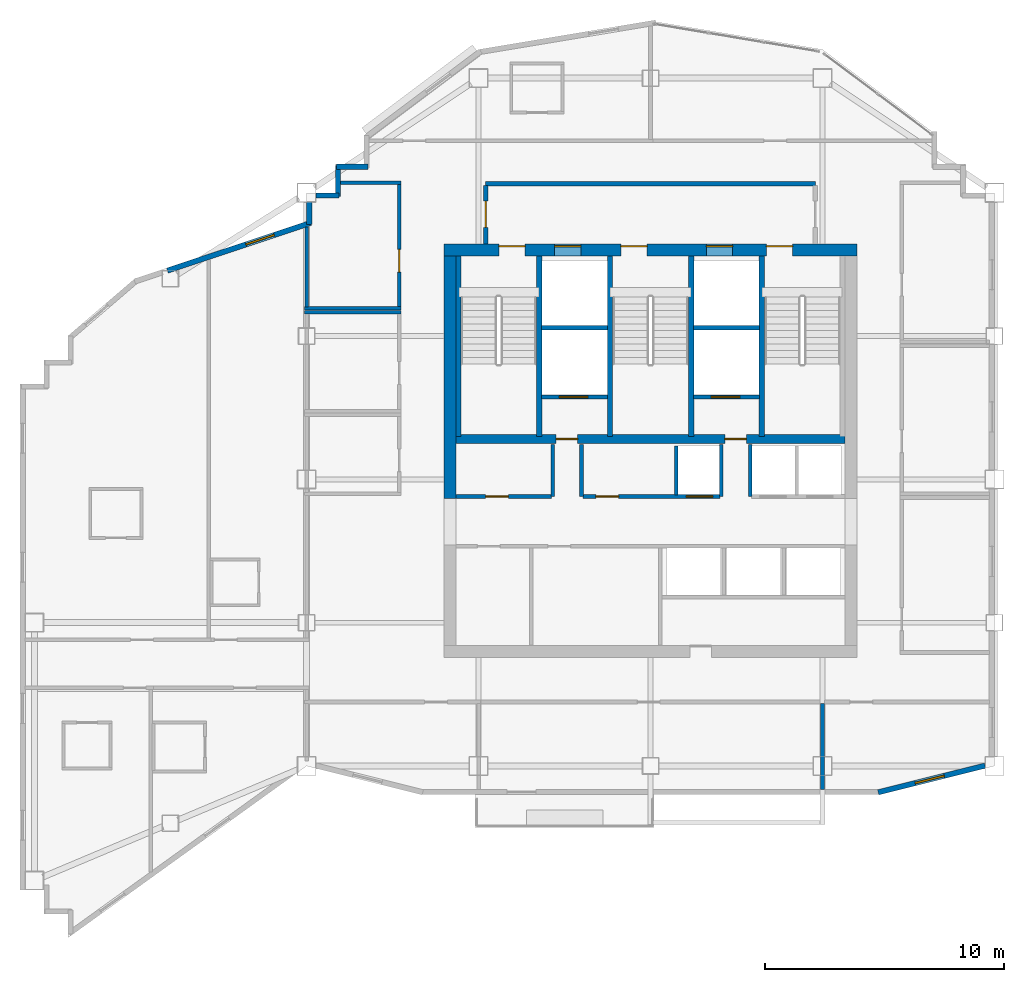
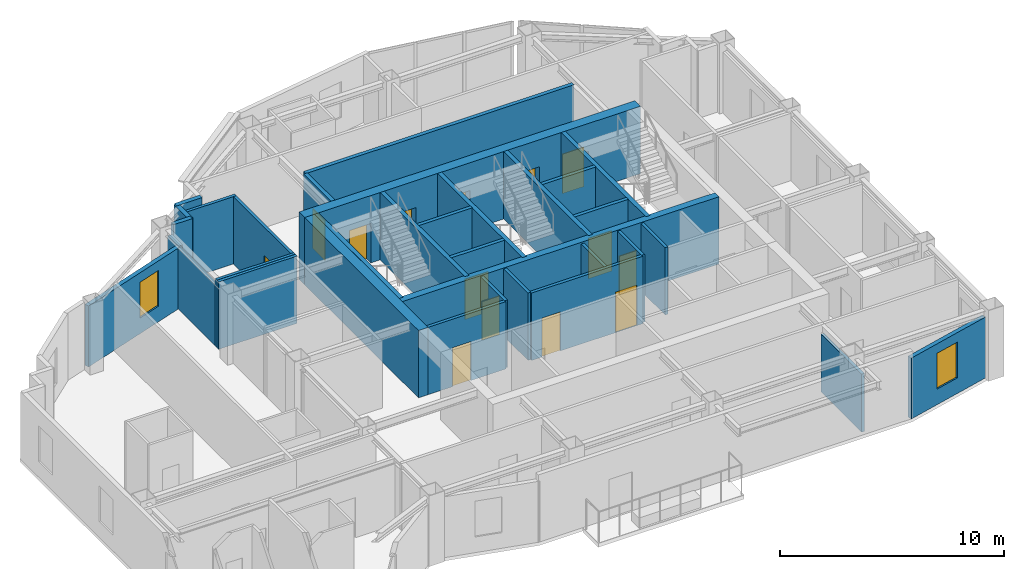
# One storey, part 6 of 9: 33 walls, 14 doors, 2 windows, 16 openings.
"""IFC4 building model written with IfcOpenShell, lengths in metres."""

import ifcopenshell
import ifcopenshell.guid

model = None  # the IFC model being written
_history = None  # IfcOwnerHistory: only IFC2X3 demands one
_inside = {}  # id of a spatial element -> (the spatial element, [elements in it])
_under = {}  # id of a project, library or spatial element -> (it, [spatial elements below it])
_declared = {}  # id of a project -> (the project, [libraries it declares])
_typed = {}  # id of a type object -> (the type object, [elements of that type])
_made_of = {}  # id of a material, layer set ... -> (it, [elements and type objects made of it])


def new_model(schema):
    """Start an empty IFC model of exactly this schema.

    Asked for "IFC4X3", IfcOpenShell would pick the latest addendum, in which some entities
    have other attributes; the version numbers below select the first issue.
    IFC2X3 requires an IfcOwnerHistory on every rooted entity: one is made here for all.
    """
    global model, _history
    if schema == "IFC4X3":
        model = ifcopenshell.file(schema_version=(4, 3, 0, 0))
    else:
        model = ifcopenshell.file(schema=schema)
    _inside.clear()
    _under.clear()
    _declared.clear()
    _typed.clear()
    _made_of.clear()
    _history = None
    if model.schema == "IFC2X3":
        org = make("IfcOrganization", Name="unknown")
        user = make(
            "IfcPersonAndOrganization",
            ThePerson=make("IfcPerson", FamilyName="unknown"),
            TheOrganization=org,
        )
        app = make(
            "IfcApplication",
            ApplicationDeveloper=org,
            Version="unknown",
            ApplicationFullName="unknown",
            ApplicationIdentifier="unknown",
        )
        _history = make(
            "IfcOwnerHistory",
            OwningUser=user,
            OwningApplication=app,
            ChangeAction="ADDED",
            CreationDate=0,
        )
    return model


def make(cls, **values):
    """One entity of the class cls with the attributes given. An attribute that is None is left unset."""
    return model.create_entity(
        cls, **{name: value for name, value in values.items() if value is not None}
    )


def rooted(cls, **values):
    """An entity with a GlobalId (a new one), such as an element, a storey or a relation."""
    return make(cls, GlobalId=ifcopenshell.guid.new(), OwnerHistory=_history, **values)


def si_unit(unit_type, name, prefix=None):
    """IfcSIUnit, for example si_unit("LENGTHUNIT", "METRE", prefix="MILLI")."""
    return make("IfcSIUnit", UnitType=unit_type, Prefix=prefix, Name=name)


def assignment(units):
    """IfcUnitAssignment: the units of a project."""
    return None if units is None else make("IfcUnitAssignment", Units=units)


def point(xyz):
    """IfcCartesianPoint."""
    return None if xyz is None else make("IfcCartesianPoint", Coordinates=xyz)


def direction(xyz):
    """IfcDirection."""
    return None if xyz is None else make("IfcDirection", DirectionRatios=xyz)


def frame(location, z_axis=None, x_axis=None):
    """IfcAxis2Placement3D, a coordinate frame: its origin and axes. An axis left out is left unset."""
    return make(
        "IfcAxis2Placement3D",
        Location=point(location),
        Axis=direction(z_axis),
        RefDirection=direction(x_axis),
    )


def frame_2d(location, x_axis=None):
    """IfcAxis2Placement2D, a coordinate frame in the plane: its origin and x axis."""
    return make(
        "IfcAxis2Placement2D", Location=point(location), RefDirection=direction(x_axis)
    )


def origin():
    """The frame at (0, 0, 0) with its axes left unset."""
    return frame((0.0, 0.0, 0.0))


def place(relative_to, where):
    """IfcLocalPlacement: puts the frame where relative to a parent placement (None: the world)."""
    return make(
        "IfcLocalPlacement", PlacementRelTo=relative_to, RelativePlacement=where
    )


def context(
    kind, dimensions, precision=None, world=None, true_north=None, identifier=None
):
    """IfcGeometricRepresentationContext, for example the 3D "Model" context."""
    return make(
        "IfcGeometricRepresentationContext",
        ContextIdentifier=identifier,
        ContextType=kind,
        CoordinateSpaceDimension=dimensions,
        Precision=precision,
        WorldCoordinateSystem=world,
        TrueNorth=true_north,
    )


def subcontext(parent, identifier, kind, view, scale=None):
    """IfcGeometricRepresentationSubContext, for example "Body" below "Model"."""
    return make(
        "IfcGeometricRepresentationSubContext",
        ContextIdentifier=identifier,
        ContextType=kind,
        ParentContext=parent,
        TargetScale=scale,
        TargetView=view,
    )


def project(units=None, contexts=None):
    """IfcProject with its units and contexts."""
    return rooted(
        "IfcProject",
        Name="project",
        RepresentationContexts=contexts,
        UnitsInContext=assignment(units),
    )


def spatial(cls, under=None, at=None, **own):
    """A site, building, storey or space (cls), placed at a placement, below another one or the project."""
    s = rooted(cls, ObjectPlacement=at, **own)
    if under is not None:
        _under.setdefault(under.id(), (under, []))[1].append(s)
    return s


def profile(cls, at=None, kind="AREA", **sizes):
    """A parametric profile (cls). Its sizes go by their IFC names, for example OverallWidth=200.0."""
    return make(cls, ProfileType=kind, Position=at, **sizes)


def rectangle(**sizes):
    """IfcRectangleProfileDef."""
    return profile("IfcRectangleProfileDef", **sizes)


def extrude(swept, where, along, depth):
    """IfcExtrudedAreaSolid: the profile swept, set in the frame where, extruded along a direction by depth."""
    return make(
        "IfcExtrudedAreaSolid",
        SweptArea=swept,
        Position=where,
        ExtrudedDirection=direction(along),
        Depth=depth,
    )


def shape(context_of_items, identifier, shape_type, items):
    """IfcShapeRepresentation: the items that make up one representation, for example the "Body"."""
    return make(
        "IfcShapeRepresentation",
        ContextOfItems=context_of_items,
        RepresentationIdentifier=identifier,
        RepresentationType=shape_type,
        Items=items,
    )


def material(Name=None, Category=None):
    """IfcMaterial."""
    return make("IfcMaterial", Name=Name, Category=Category)


def layer(
    of_material, thickness, ventilated=None, Name=None, Category=None, Priority=None
):
    """IfcMaterialLayer: one layer of a wall or slab, of a material (None: an air gap)."""
    return make(
        "IfcMaterialLayer",
        Material=of_material,
        LayerThickness=thickness,
        IsVentilated=ventilated,
        Name=Name,
        Category=Category,
        Priority=Priority,
    )


def layer_set(layers, Name=None):
    """IfcMaterialLayerSet."""
    return make("IfcMaterialLayerSet", MaterialLayers=layers, LayerSetName=Name)


def made_of(thing, what):
    """Note that an element or type object is made of a material, layer set ...; save() writes the relation."""
    if what is not None:
        _made_of.setdefault(what.id(), (what, []))[1].append(thing)
    return thing


def type_object(cls, material=None, **own):
    """A type object (cls), such as IfcWallType, which elements share."""
    return made_of(rooted(cls, **own), material)


def element(
    cls,
    number,
    at=None,
    inside=None,
    cuts=None,
    type_object=None,
    material=None,
    context=None,
    identifier="Body",
    shape_type=None,
    held_by="IfcProductDefinitionShape",
    body=None,
    shapes=None,
    **own,
):
    """One element of the class cls, such as IfcWall. Its Tag is "e" and its number.

    at: its placement. inside: the storey or other place that contains it. cuts: it is an
    opening in that element (IfcRelVoidsElement). A single representation is given by context,
    identifier, shape_type and body (its items); several are given by shapes. held_by: the class
    of the entity that holds the representations. save() writes the other relations.
    """
    e = rooted(cls, Tag="e%d" % number, ObjectPlacement=at, **own)
    if body is not None:
        shapes = [shape(context, identifier, shape_type, body)]
    if shapes is not None:
        e.Representation = make(held_by, Representations=shapes)
    if inside is not None:
        _inside.setdefault(inside.id(), (inside, []))[1].append(e)
    if cuts is not None:
        rooted(
            "IfcRelVoidsElement", RelatingBuildingElement=cuts, RelatedOpeningElement=e
        )
    if type_object is not None:
        _typed.setdefault(type_object.id(), (type_object, []))[1].append(e)
    return made_of(e, material)


def fill(opening, filler):
    """IfcRelFillsElement: the door or window that sits in an opening."""
    return rooted(
        "IfcRelFillsElement",
        RelatingOpeningElement=opening,
        RelatedBuildingElement=filler,
    )


def aggregate(whole, parts):
    """IfcRelAggregates: a whole, such as a stair, and the parts it consists of."""
    return rooted("IfcRelAggregates", RelatingObject=whole, RelatedObjects=parts)


def save(model, path):
    """Write the relations noted so far, then the file.

    IfcRelAggregates (storeys below a building ...), IfcRelContainedInSpatialStructure (elements
    in a storey), IfcRelDefinesByType, IfcRelAssociatesMaterial and IfcRelDeclares: one each for
    every whole, place, type object, material and project.
    """
    for whole, parts in _under.values():
        aggregate(whole, parts)
    for where, things in _inside.values():
        rooted(
            "IfcRelContainedInSpatialStructure",
            RelatedElements=things,
            RelatingStructure=where,
        )
    for kind, things in _typed.values():
        rooted("IfcRelDefinesByType", RelatedObjects=things, RelatingType=kind)
    for what, things in _made_of.values():
        rooted("IfcRelAssociatesMaterial", RelatedObjects=things, RelatingMaterial=what)
    for by, libraries in _declared.values():
        rooted("IfcRelDeclares", RelatingContext=by, RelatedDefinitions=libraries)
    model.write(path)


model = new_model("IFC4")

# Units and contexts
model_context = context("Model", 3, precision=1e-05, world=origin(), true_north=direction((0.0, 1.0)))
body_context = subcontext(model_context, "Body", "Model", "MODEL_VIEW")
ifc_project = project(units=[si_unit("LENGTHUNIT", "METRE"), si_unit("AREAUNIT", "SQUARE_METRE"), si_unit("VOLUMEUNIT", "CUBIC_METRE"), si_unit("PLANEANGLEUNIT", "RADIAN"), si_unit("MASSUNIT", "GRAM", prefix="KILO")], contexts=[model_context])

# Site, building, storey
site_placement = place(None, origin())
site = spatial("IfcSite", under=ifc_project, at=site_placement, CompositionType="ELEMENT")
building_placement = place(site_placement, origin())
building = spatial("IfcBuilding", under=site, at=building_placement, Name="Haolan Belvedere Tower", CompositionType="ELEMENT")
storey_placement = place(building_placement, frame((0.0, 0.0, 242.89990234375)))
storey = spatial("IfcBuildingStorey", under=building, at=storey_placement, Name="L61", CompositionType="ELEMENT", Elevation=242.89990234375)

# Wall, openings, doors
ifc_material_1 = material(Name="Concrete C50/60", Category="concrete")
ifc_layer_1 = layer(ifc_material_1, 0.5, Name="Concrete C50/60")
ifc_layer_set_1 = layer_set([ifc_layer_1], Name="Concrete C50/60")
wall_type_1 = type_object("IfcWallType", Name="WL-CORE-500", PredefinedType="SHEAR", material=ifc_layer_set_1)
wall_1_placement = place(storey_placement, frame((29.75, 43.199951171875, 0.0), z_axis=(0.0, 0.0, 1.0), x_axis=(1.0, 0.0, 0.0)))
wall_1 = element("IfcWall", 1, at=wall_1_placement, inside=storey, type_object=wall_type_1, Name="L61 central core north shear wall", PredefinedType="SHEAR", context=body_context, shape_type="SweptSolid", body=[
    extrude(rectangle(XDim=17.300048828125, YDim=0.5, at=frame_2d((8.64990234375, 0.0))), origin(), (0.0, 0.0, 1.0), 3.670166015625),
])
opening_1_placement = place(wall_1_placement, frame((2.300048828125, 0.0, 0.0)))
opening_1 = element("IfcOpeningElement", 2, at=opening_1_placement, cuts=wall_1, Name="Opening FD-03", PredefinedType="OPENING", context=body_context, shape_type="SweptSolid", body=[
    extrude(rectangle(XDim=1.10009765625, YDim=2.14990234375, at=frame_2d((0.550048828125, 1.074951171875))), frame((0.0, 0.260009765625, 0.0), z_axis=(0.0, -1.0, 0.0), x_axis=(1.0, 0.0, 0.0)), (0.0, 0.0, 1.0), 0.52001953125),
])
opening_2_placement = place(wall_1_placement, frame((7.409912109375, 0.0, 0.0)))
opening_2 = element("IfcOpeningElement", 3, at=opening_2_placement, cuts=wall_1, Name="Opening FD-03", PredefinedType="OPENING", context=body_context, shape_type="SweptSolid", body=[
    extrude(rectangle(XDim=1.10009765625, YDim=2.14990234375, at=frame_2d((0.550048828125, 1.074951171875))), frame((0.0, 0.260009765625, 0.0), z_axis=(0.0, -1.0, 0.0), x_axis=(1.0, 0.0, 0.0)), (0.0, 0.0, 1.0), 0.52001953125),
])
opening_3_placement = place(wall_1_placement, frame((13.5, 0.0, 0.0)))
opening_3 = element("IfcOpeningElement", 4, at=opening_3_placement, cuts=wall_1, Name="Opening FD-03", PredefinedType="OPENING", context=body_context, shape_type="SweptSolid", body=[
    extrude(rectangle(XDim=1.10009765625, YDim=2.14990234375, at=frame_2d((0.550048828125, 1.074951171875))), frame((0.0, 0.260009765625, 0.0), z_axis=(0.0, -1.0, 0.0), x_axis=(1.0, 0.0, 0.0)), (0.0, 0.0, 1.0), 0.52001953125),
])
opening_4_placement = place(wall_1_placement, frame((4.6298828125, 0.0, 0.0)))
opening_4 = element("IfcOpeningElement", 5, at=opening_4_placement, cuts=wall_1, Name="Opening LD-01", PredefinedType="OPENING", context=body_context, shape_type="SweptSolid", body=[
    extrude(rectangle(XDim=1.10009765625, YDim=2.199951171875, at=frame_2d((0.550048828125, 1.10009765625))), frame((0.0, 0.260009765625, 0.0), z_axis=(0.0, -1.0, 0.0), x_axis=(1.0, 0.0, 0.0)), (0.0, 0.0, 1.0), 0.52001953125),
])
opening_5_placement = place(wall_1_placement, frame((10.989990234375, 0.0, 0.0)))
opening_5 = element("IfcOpeningElement", 6, at=opening_5_placement, cuts=wall_1, Name="Opening LD-01", PredefinedType="OPENING", context=body_context, shape_type="SweptSolid", body=[
    extrude(rectangle(XDim=1.10009765625, YDim=2.199951171875, at=frame_2d((0.550048828125, 1.10009765625))), frame((0.0, 0.260009765625, 0.0), z_axis=(0.0, -1.0, 0.0), x_axis=(1.0, 0.0, 0.0)), (0.0, 0.0, 1.0), 0.52001953125),
])
ifc_material_2 = material(Name="Galvanised fire-rated steel", Category="steel")
door_type_1 = type_object("IfcDoorType", Name="DR-FD90-1100", OperationType="NOTDEFINED", PredefinedType="DOOR", material=ifc_material_2)
door_1_placement = place(opening_1_placement, origin())
door_1 = element("IfcDoor", 7, at=door_1_placement, inside=storey, type_object=door_type_1, Name="L61 door CD-L61-ST1", OperationType="SINGLE_SWING_LEFT", OverallHeight=2.14990234375, OverallWidth=1.10009765625, PredefinedType="DOOR", context=body_context, shape_type="SweptSolid", body=[
    extrude(rectangle(XDim=1.10009765625, YDim=2.14990234375, at=frame_2d((0.550048828125, 1.074951171875))), frame((0.0, 0.18505859375, 0.0), z_axis=(0.0, -1.0, 0.0), x_axis=(1.0, 0.0, 0.0)), (0.0, 0.0, 1.0), 0.050048828125),
])
fill(opening_1, door_1)
door_2_placement = place(opening_2_placement, origin())
door_2 = element("IfcDoor", 8, at=door_2_placement, inside=storey, type_object=door_type_1, Name="L61 door CD-L61-ST3", OperationType="SINGLE_SWING_LEFT", OverallHeight=2.14990234375, OverallWidth=1.10009765625, PredefinedType="DOOR", context=body_context, shape_type="SweptSolid", body=[
    extrude(rectangle(XDim=1.10009765625, YDim=2.14990234375, at=frame_2d((0.550048828125, 1.074951171875))), frame((0.0, 0.18505859375, 0.0), z_axis=(0.0, -1.0, 0.0), x_axis=(1.0, 0.0, 0.0)), (0.0, 0.0, 1.0), 0.050048828125),
])
fill(opening_2, door_2)
door_3_placement = place(opening_3_placement, origin())
door_3 = element("IfcDoor", 9, at=door_3_placement, inside=storey, type_object=door_type_1, Name="L61 door CD-L61-ST2", OperationType="SINGLE_SWING_RIGHT", OverallHeight=2.14990234375, OverallWidth=1.10009765625, PredefinedType="DOOR", context=body_context, shape_type="SweptSolid", body=[
    extrude(rectangle(XDim=1.10009765625, YDim=2.14990234375, at=frame_2d((0.550048828125, 1.074951171875))), frame((0.0, 0.18505859375, 0.0), z_axis=(0.0, -1.0, 0.0), x_axis=(1.0, 0.0, 0.0)), (0.0, 0.0, 1.0), 0.050048828125),
])
fill(opening_3, door_3)
ifc_material_3 = material(Name="Brushed champagne stainless steel 316L", Category="steel")
door_type_2 = type_object("IfcDoorType", Name="DR-LIFT-1100", OperationType="SLIDING_TO_LEFT", PredefinedType="DOOR", material=ifc_material_3)
door_4_placement = place(opening_4_placement, origin())
door_4 = element("IfcDoor", 10, at=door_4_placement, inside=storey, type_object=door_type_2, Name="L61 door LD-L61-FF1", OperationType="SLIDING_TO_LEFT", OverallHeight=2.199951171875, OverallWidth=1.10009765625, PredefinedType="DOOR", context=body_context, shape_type="SweptSolid", body=[
    extrude(rectangle(XDim=1.10009765625, YDim=2.199951171875, at=frame_2d((0.550048828125, 1.10009765625))), frame((0.0, 0.18505859375, 0.0), z_axis=(0.0, -1.0, 0.0), x_axis=(1.0, 0.0, 0.0)), (0.0, 0.0, 1.0), 0.050048828125),
])
fill(opening_4, door_4)
door_5_placement = place(opening_5_placement, origin())
door_5 = element("IfcDoor", 11, at=door_5_placement, inside=storey, type_object=door_type_2, Name="L61 door LD-L61-FF2", OperationType="SLIDING_TO_LEFT", OverallHeight=2.199951171875, OverallWidth=1.10009765625, PredefinedType="DOOR", context=body_context, shape_type="SweptSolid", body=[
    extrude(rectangle(XDim=1.10009765625, YDim=2.199951171875, at=frame_2d((0.550048828125, 1.10009765625))), frame((0.0, 0.18505859375, 0.0), z_axis=(0.0, -1.0, 0.0), x_axis=(1.0, 0.0, 0.0)), (0.0, 0.0, 1.0), 0.050048828125),
])
fill(opening_5, door_5)

# Wall
wall_2_placement = place(storey_placement, frame((30.0, 32.800048828125, 0.0), z_axis=(0.0, 0.0, 1.0), x_axis=(0.0, 1.0, 0.0)))
element("IfcWall", 12, at=wall_2_placement, inside=storey, type_object=wall_type_1, Name="L61 central core shear wall WN", PredefinedType="SHEAR", context=body_context, shape_type="SweptSolid", body=[
    extrude(rectangle(XDim=10.14990234375, YDim=0.5, at=frame_2d((5.074951171875, 0.0))), origin(), (0.0, 0.0, 1.0), 3.670166015625),
])

# Wall, opening, window
ifc_material_4 = material(Name="Precast concrete C40/50", Category="concrete")
ifc_layer_2 = layer(ifc_material_4, 0.219970703125, Name="Precast concrete C40/50")
ifc_layer_set_2 = layer_set([ifc_layer_2], Name="Precast concrete C40/50")
wall_type_2 = type_object("IfcWallType", Name="WL-EXT-220", PredefinedType="SOLIDWALL", material=ifc_layer_set_2)
wall_3_placement = place(storey_placement, frame((47.93310546875, 20.49658203125, 0.0), z_axis=(0.0, 0.0, 1.0), x_axis=(0.970133159038, 0.242572986408, 0.0)))
wall_3 = element("IfcWall", 13, at=wall_3_placement, inside=storey, type_object=wall_type_2, Name="L61 pale-metal exterior spandrel wall 2.1", PredefinedType="SOLIDWALL", context=body_context, shape_type="SweptSolid", body=[
    extrude(rectangle(XDim=4.612548828125, YDim=0.219970703125, at=frame_2d((2.30615234375, 0.0))), origin(), (0.0, 0.0, 1.0), 3.315185546875),
])
opening_6_placement = place(wall_3_placement, frame((1.60009765625, 0.0, 0.85009765625)))
opening_6 = element("IfcOpeningElement", 14, at=opening_6_placement, cuts=wall_3, Name="Opening W-04", PredefinedType="OPENING", context=body_context, shape_type="SweptSolid", body=[
    extrude(rectangle(XDim=1.25, YDim=1.949951171875, at=frame_2d((0.625, 0.97509765625))), frame((0.0, 0.119873046875, 0.0), z_axis=(0.0, -1.0, 0.0), x_axis=(1.0, 0.0, 0.0)), (0.0, 0.0, 1.0), 0.239990234375),
])
ifc_material_5 = material(Name="Anodised aluminium 6063-T6 and Low-E glass", Category="aluminium")
window_type = type_object("IfcWindowType", Name="WN-DECO-Z4", PartitioningType="SINGLE_PANEL", PredefinedType="WINDOW", material=ifc_material_5)
window_1_placement = place(opening_6_placement, origin())
window_1 = element("IfcWindow", 15, at=window_1_placement, inside=storey, type_object=window_type, Name="L61 Art Deco chevron window 1", OverallHeight=1.949951171875, OverallWidth=1.25, PartitioningType="SINGLE_PANEL", PredefinedType="WINDOW", context=body_context, shape_type="SweptSolid", body=[
    extrude(rectangle(XDim=1.25, YDim=1.949951171875, at=frame_2d((0.625, 0.97509765625))), frame((0.0, 0.030029296875, 0.0), z_axis=(0.0, -1.0, 0.0), x_axis=(1.0, 0.0, 0.0)), (0.0, 0.0, 1.0), 0.06005859375),
])
fill(opening_6, window_1)

# Walls
for number, where, z_axis, x_axis, name in (
    (16, (26.56494140625, 46.68994140625, 0.0), (0.0, 0.0, 1.0), (-1.0, 0.0, 0.0), "L61 pale-metal exterior spandrel wall 13.1"),
    (17, (25.31005859375, 46.7451171875, 0.0), (0.0, 0.0, 1.0), (0.0, -1.0, 0.0), "L61 pale-metal exterior spandrel wall 14.1"),
):
    element("IfcWall", number, at=place(storey_placement, frame(where, z_axis=z_axis, x_axis=x_axis)), inside=storey, type_object=wall_type_2, Name=name, PredefinedType="SOLIDWALL", context=body_context, shape_type="SweptSolid", body=[
        extrude(rectangle(XDim=1.31005859375, YDim=0.219970703125, at=frame_2d((0.655029296875, 0.0))), origin(), (0.0, 0.0, 1.0), 3.670166015625),
    ])
wall_4_placement = place(storey_placement, frame((25.364990234375, 45.489990234375, 0.0), z_axis=(0.0, 0.0, 1.0), x_axis=(-1.0, 0.0, 0.0)))
element("IfcWall", 18, at=wall_4_placement, inside=storey, type_object=wall_type_2, Name="L61 pale-metal exterior spandrel wall 15.1", PredefinedType="SOLIDWALL", context=body_context, shape_type="SweptSolid", body=[
    extrude(rectangle(XDim=0.972900390625, YDim=0.219970703125, at=frame_2d((0.486328125, 0.0))), origin(), (0.0, 0.0, 1.0), 3.670166015625),
])
wall_5_placement = place(storey_placement, frame((24.110107421875, 45.2080078125, 0.0), z_axis=(0.0, 0.0, 1.0), x_axis=(0.0, -1.0, 0.0)))
element("IfcWall", 19, at=wall_5_placement, inside=storey, type_object=wall_type_2, Name="L61 pale-metal exterior spandrel wall 16.1", PredefinedType="SOLIDWALL", context=body_context, shape_type="SweptSolid", body=[
    extrude(rectangle(XDim=0.9423828125, YDim=0.219970703125, at=frame_2d((0.47119140625, 0.0))), origin(), (0.0, 0.0, 1.0), 3.315185546875),
])

# Wall, opening, window
wall_6_placement = place(storey_placement, frame((24.162109375, 44.338134765625, 0.0), z_axis=(0.0, 0.0, 1.0), x_axis=(-0.948687165594, -0.31621616315, 0.0)))
wall_6 = element("IfcWall", 20, at=wall_6_placement, inside=storey, type_object=wall_type_2, Name="L61 pale-metal exterior spandrel wall 17.1", PredefinedType="SOLIDWALL", context=body_context, shape_type="SweptSolid", body=[
    extrude(rectangle(XDim=6.3125, YDim=0.219970703125, at=frame_2d((3.15625, 0.0))), origin(), (0.0, 0.0, 1.0), 3.315185546875),
])
opening_7_placement = place(wall_6_placement, frame((1.60009765625, 0.0, 0.85009765625)))
opening_7 = element("IfcOpeningElement", 21, at=opening_7_placement, cuts=wall_6, Name="Opening W-04", PredefinedType="OPENING", context=body_context, shape_type="SweptSolid", body=[
    extrude(rectangle(XDim=1.25, YDim=1.949951171875, at=frame_2d((0.625, 0.97509765625))), frame((0.0, 0.119873046875, 0.0), z_axis=(0.0, -1.0, 0.0), x_axis=(1.0, 0.0, 0.0)), (0.0, 0.0, 1.0), 0.239990234375),
])
window_2_placement = place(opening_7_placement, origin())
window_2 = element("IfcWindow", 22, at=window_2_placement, inside=storey, type_object=window_type, Name="L61 Art Deco chevron window 1", OverallHeight=1.949951171875, OverallWidth=1.25, PartitioningType="SINGLE_PANEL", PredefinedType="WINDOW", context=body_context, shape_type="SweptSolid", body=[
    extrude(rectangle(XDim=1.25, YDim=1.949951171875, at=frame_2d((0.625, 0.97509765625))), frame((0.0, 0.030029296875, 0.0), z_axis=(0.0, -1.0, 0.0), x_axis=(1.0, 0.0, 0.0)), (0.0, 0.0, 1.0), 0.06005859375),
])
fill(opening_7, window_2)

# Wall
ifc_material_6 = material(Name="Concrete C40/50", Category="concrete")
ifc_layer_3 = layer(ifc_material_6, 0.199951171875, Name="Concrete C40/50")
ifc_layer_set_3 = layer_set([ifc_layer_3], Name="Concrete C40/50")
wall_type_3 = type_object("IfcWallType", Name="WL-FIRE-200", PredefinedType="SOLIDWALL", material=ifc_layer_set_3)
wall_7_placement = place(storey_placement, frame((31.5, 45.97998046875, 0.0), z_axis=(0.0, 0.0, 1.0), x_axis=(1.0, 0.0, 0.0)))
element("IfcWall", 23, at=wall_7_placement, inside=storey, type_object=wall_type_3, Name="L61 interior partition IW-L61-FFL-N", PredefinedType="SOLIDWALL", context=body_context, shape_type="SweptSolid", body=[
    extrude(rectangle(XDim=13.800048828125, YDim=0.199951171875, at=frame_2d((6.89990234375, 0.0))), origin(), (0.0, 0.0, 1.0), 3.670166015625),
])

# Wall, opening, door
wall_8_placement = place(storey_placement, frame((31.5, 43.449951171875, 0.0), z_axis=(0.0, 0.0, 1.0), x_axis=(0.0, 1.0, 0.0)))
wall_8 = element("IfcWall", 24, at=wall_8_placement, inside=storey, type_object=wall_type_3, Name="L61 interior partition IW-L61-FFL-W", PredefinedType="SOLIDWALL", context=body_context, shape_type="SweptSolid", body=[
    extrude(rectangle(XDim=2.445068359375, YDim=0.199951171875, at=frame_2d((1.22265625, 0.0))), origin(), (0.0, 0.0, 1.0), 3.670166015625),
])
opening_8_placement = place(wall_8_placement, frame((1.800048828125, 0.0, 0.0), z_axis=(0.0, 0.0, 1.0), x_axis=(-1.0, 0.0, 0.0)))
opening_8 = element("IfcOpeningElement", 25, at=opening_8_placement, cuts=wall_8, Name="Opening FD-03", PredefinedType="OPENING", context=body_context, shape_type="SweptSolid", body=[
    extrude(rectangle(XDim=1.10009765625, YDim=2.14990234375, at=frame_2d((0.550048828125, 1.074951171875))), frame((0.0, 0.10986328125, 0.0), z_axis=(0.0, -1.0, 0.0), x_axis=(1.0, 0.0, 0.0)), (0.0, 0.0, 1.0), 0.219970703125),
])
door_6_placement = place(opening_8_placement, origin())
door_6 = element("IfcDoor", 26, at=door_6_placement, inside=storey, type_object=door_type_1, Name="L61 door ID-L61-FFL-DW", OperationType="SINGLE_SWING_LEFT", OverallHeight=2.14990234375, OverallWidth=1.10009765625, PredefinedType="DOOR", context=body_context, shape_type="SweptSolid", body=[
    extrude(rectangle(XDim=1.10009765625, YDim=2.14990234375, at=frame_2d((0.550048828125, 1.074951171875))), frame((0.0, 0.02490234375, 0.0), z_axis=(0.0, -1.0, 0.0), x_axis=(1.0, 0.0, 0.0)), (0.0, 0.0, 1.0), 0.050048828125),
])
fill(opening_8, door_6)

# Walls
ifc_material_7 = material(Name="Double gypsum acoustic stud partition", Category="masonry")
ifc_layer_4 = layer(ifc_material_7, 0.14990234375, Name="Double gypsum acoustic stud partition")
ifc_layer_set_4 = layer_set([ifc_layer_4], Name="Double gypsum acoustic stud partition")
wall_type_4 = type_object("IfcWallType", Name="WL-PART-150", PredefinedType="PARTITIONING", material=ifc_layer_set_4)
wall_9_placement = place(storey_placement, frame((23.919921875, 40.60009765625, 0.0), z_axis=(0.0, 0.0, 1.0), x_axis=(1.0, 0.0, 0.0)))
element("IfcWall", 27, at=wall_9_placement, inside=storey, type_object=wall_type_4, Name="L61 interior partition IW-L61-PNT-N", PredefinedType="PARTITIONING", context=body_context, shape_type="SweptSolid", body=[
    extrude(rectangle(XDim=4.0400390625, YDim=0.14990234375, at=frame_2d((2.02001953125, 0.0))), origin(), (0.0, 0.0, 1.0), 3.670166015625),
])
wall_10_placement = place(storey_placement, frame((25.412109375, 46.02001953125, 0.0), z_axis=(0.0, 0.0, 1.0), x_axis=(1.0, 0.0, 0.0)))
element("IfcWall", 28, at=wall_10_placement, inside=storey, type_object=wall_type_4, Name="L61 interior partition IW-L61-STY-N", PredefinedType="PARTITIONING", context=body_context, shape_type="SweptSolid", body=[
    extrude(rectangle(XDim=2.5478515625, YDim=0.14990234375, at=frame_2d((1.27392578125, 0.0))), origin(), (0.0, 0.0, 1.0), 3.670166015625),
])
wall_11_placement = place(storey_placement, frame((23.919921875, 40.760009765625, 0.0), z_axis=(0.0, 0.0, 1.0), x_axis=(1.0, 0.0, 0.0)))
element("IfcWall", 29, at=wall_11_placement, inside=storey, type_object=wall_type_4, Name="L61 interior partition IW-L61-STY-S", PredefinedType="PARTITIONING", context=body_context, shape_type="SweptSolid", body=[
    extrude(rectangle(XDim=4.0400390625, YDim=0.14990234375, at=frame_2d((2.02001953125, 0.0))), origin(), (0.0, 0.0, 1.0), 3.670166015625),
])
wall_12_placement = place(storey_placement, frame((24.0, 40.820068359375, 0.0), z_axis=(0.0, 0.0, 1.0), x_axis=(0.0, 1.0, 0.0)))
element("IfcWall", 30, at=wall_12_placement, inside=storey, type_object=wall_type_4, Name="L61 interior partition IW-L61-STY-W", PredefinedType="PARTITIONING", context=body_context, shape_type="SweptSolid", body=[
    extrude(rectangle(XDim=3.3564453125, YDim=0.14990234375, at=frame_2d((1.67822265625, 0.0))), origin(), (0.0, 0.0, 1.0), 3.315185546875),
])

# Wall, opening, door
wall_13_placement = place(storey_placement, frame((27.8798828125, 40.820068359375, 0.0), z_axis=(0.0, 0.0, 1.0), x_axis=(0.0, 1.0, 0.0)))
wall_13 = element("IfcWall", 31, at=wall_13_placement, inside=storey, type_object=wall_type_4, Name="L61 interior partition IW-L61-STY-E", PredefinedType="PARTITIONING", context=body_context, shape_type="SweptSolid", body=[
    extrude(rectangle(XDim=5.139892578125, YDim=0.14990234375, at=frame_2d((2.56982421875, 0.0))), origin(), (0.0, 0.0, 1.0), 3.670166015625),
])
opening_9_placement = place(wall_13_placement, frame((2.409912109375, 0.0, 0.0), z_axis=(0.0, 0.0, 1.0), x_axis=(-1.0, 0.0, 0.0)))
opening_9 = element("IfcOpeningElement", 32, at=opening_9_placement, cuts=wall_13, Name="Opening ID-03", PredefinedType="OPENING", context=body_context, shape_type="SweptSolid", body=[
    extrude(rectangle(XDim=0.949951171875, YDim=2.1201171875, at=frame_2d((0.47509765625, 1.06005859375))), frame((0.0, 0.0849609375, 0.0), z_axis=(0.0, -1.0, 0.0), x_axis=(1.0, 0.0, 0.0)), (0.0, 0.0, 1.0), 0.169921875),
])
ifc_material_8 = material(Name="Painted solid-core timber", Category="wood")
door_type_3 = type_object("IfcDoorType", Name="DR-INT-950", OperationType="NOTDEFINED", PredefinedType="DOOR", material=ifc_material_8)
door_7_placement = place(opening_9_placement, origin())
door_7 = element("IfcDoor", 33, at=door_7_placement, inside=storey, type_object=door_type_3, Name="L61 door ID-L61-STY", OperationType="SINGLE_SWING_LEFT", OverallHeight=2.1201171875, OverallWidth=0.949951171875, PredefinedType="DOOR", context=body_context, shape_type="SweptSolid", body=[
    extrude(rectangle(XDim=0.949951171875, YDim=2.1201171875, at=frame_2d((0.47509765625, 1.06005859375))), frame((0.0, 0.02490234375, 0.0), z_axis=(0.0, -1.0, 0.0), x_axis=(1.0, 0.0, 0.0)), (0.0, 0.0, 1.0), 0.050048828125),
])
fill(opening_9, door_7)

# Walls
wall_14_placement = place(storey_placement, frame((45.60009765625, 20.612060546875, 0.0), z_axis=(0.0, 0.0, 1.0), x_axis=(0.0, 1.0, 0.0)))
element("IfcWall", 34, at=wall_14_placement, inside=storey, type_object=wall_type_4, Name="L61 interior partition IW-L61-KS2-E", PredefinedType="PARTITIONING", context=body_context, shape_type="SweptSolid", body=[
    extrude(rectangle(XDim=3.60791015625, YDim=0.14990234375, at=frame_2d((1.803955078125, 0.0))), origin(), (0.0, 0.0, 1.0), 3.155029296875),
])
ifc_material_9 = material(Name="Gypsum fire shaftwall assembly", Category="masonry")
ifc_layer_5 = layer(ifc_material_9, 0.1650390625, Name="Gypsum fire shaftwall assembly")
ifc_layer_set_5 = layer_set([ifc_layer_5], Name="Gypsum fire shaftwall assembly")
wall_type_5 = type_object("IfcWallType", Name="WL-SHAFT-160", PredefinedType="SOLIDWALL", material=ifc_layer_set_5)
for number, where, z_axis, x_axis, name in (
    (35, (34.31005859375, 32.8798828125, 0.0), (0.0, 0.0, 1.0), (0.0, 1.0, 0.0), "L61 interior partition IW-L61-SVP-W-SV1"),
    (36, (35.510009765625, 32.8798828125, 0.0), (0.0, 0.0, 1.0), (0.0, 1.0, 0.0), "L61 interior partition IW-L61-SVP-E-SV1"),
    (37, (41.3701171875, 32.8798828125, 0.0), (0.0, 0.0, 1.0), (0.0, 1.0, 0.0), "L61 interior partition IW-L61-SVP-W-SV2"),
    (38, (42.570068359375, 32.8798828125, 0.0), (0.0, 0.0, 1.0), (0.0, 1.0, 0.0), "L61 interior partition IW-L61-SVP-E-SV2"),
):
    element("IfcWall", number, at=place(storey_placement, frame(where, z_axis=z_axis, x_axis=x_axis)), inside=storey, type_object=wall_type_5, Name=name, PredefinedType="SOLIDWALL", context=body_context, shape_type="SweptSolid", body=[
        extrude(rectangle(XDim=2.170166015625, YDim=0.14990234375, at=frame_2d((1.0849609375, 0.0))), origin(), (0.0, 0.0, 1.0), 3.670166015625),
    ])

# Wall, opening, door
wall_15_placement = place(storey_placement, frame((30.25, 32.8798828125, 0.0), z_axis=(0.0, 0.0, 1.0), x_axis=(1.0, 0.0, 0.0)))
wall_15 = element("IfcWall", 39, at=wall_15_placement, inside=storey, type_object=wall_type_5, Name="L61 interior partition IW-L61-ROW-PN1", PredefinedType="SOLIDWALL", context=body_context, shape_type="SweptSolid", body=[
    extrude(rectangle(XDim=4.0, YDim=0.159912109375, at=frame_2d((2.0, 0.0))), origin(), (0.0, 0.0, 1.0), 3.670166015625),
])
opening_10_placement = place(wall_15_placement, frame((2.199951171875, 0.0, 0.0), z_axis=(0.0, 0.0, 1.0), x_axis=(-1.0, 0.0, 0.0)))
opening_10 = element("IfcOpeningElement", 40, at=opening_10_placement, cuts=wall_15, Name="Opening ID-03", PredefinedType="OPENING", context=body_context, shape_type="SweptSolid", body=[
    extrude(rectangle(XDim=0.949951171875, YDim=2.1201171875, at=frame_2d((0.47509765625, 1.06005859375))), frame((0.0, 0.08984375, 0.0), z_axis=(0.0, -1.0, 0.0), x_axis=(1.0, 0.0, 0.0)), (0.0, 0.0, 1.0), 0.179931640625),
])
door_8_placement = place(opening_10_placement, origin())
door_8 = element("IfcDoor", 41, at=door_8_placement, inside=storey, type_object=door_type_3, Name="L61 door ID-L61-CD-RPLW", OperationType="SINGLE_SWING_LEFT", OverallHeight=2.1201171875, OverallWidth=0.949951171875, PredefinedType="DOOR", context=body_context, shape_type="SweptSolid", body=[
    extrude(rectangle(XDim=0.949951171875, YDim=2.1201171875, at=frame_2d((0.47509765625, 1.06005859375))), frame((0.0, 0.02490234375, 0.0), z_axis=(0.0, -1.0, 0.0), x_axis=(1.0, 0.0, 0.0)), (0.0, 0.0, 1.0), 0.050048828125),
])
fill(opening_10, door_8)

# Wall, openings, doors
wall_16_placement = place(storey_placement, frame((35.570068359375, 32.8798828125, 0.0), z_axis=(0.0, 0.0, 1.0), x_axis=(1.0, 0.0, 0.0)))
wall_16 = element("IfcWall", 42, at=wall_16_placement, inside=storey, type_object=wall_type_5, Name="L61 interior partition IW-L61-ROW-PN2", PredefinedType="SOLIDWALL", context=body_context, shape_type="SweptSolid", body=[
    extrude(rectangle(XDim=5.739990234375, YDim=0.159912109375, at=frame_2d((2.8701171875, 0.0))), origin(), (0.0, 0.0, 1.0), 3.670166015625),
])
opening_11_placement = place(wall_16_placement, frame((1.489990234375, 0.0, 0.0), z_axis=(0.0, 0.0, 1.0), x_axis=(-1.0, 0.0, 0.0)))
opening_11 = element("IfcOpeningElement", 43, at=opening_11_placement, cuts=wall_16, Name="Opening ID-03", PredefinedType="OPENING", context=body_context, shape_type="SweptSolid", body=[
    extrude(rectangle(XDim=0.949951171875, YDim=2.1201171875, at=frame_2d((0.47509765625, 1.06005859375))), frame((0.0, 0.08984375, 0.0), z_axis=(0.0, -1.0, 0.0), x_axis=(1.0, 0.0, 0.0)), (0.0, 0.0, 1.0), 0.179931640625),
])
opening_12_placement = place(wall_16_placement, frame((5.43017578125, 0.0, 0.0), z_axis=(0.0, 0.0, 1.0), x_axis=(-1.0, 0.0, 0.0)))
opening_12 = element("IfcOpeningElement", 44, at=opening_12_placement, cuts=wall_16, Name="Opening LD-01", PredefinedType="OPENING", context=body_context, shape_type="SweptSolid", body=[
    extrude(rectangle(XDim=1.10009765625, YDim=2.199951171875, at=frame_2d((0.550048828125, 1.10009765625))), frame((0.0, 0.08984375, 0.0), z_axis=(0.0, -1.0, 0.0), x_axis=(1.0, 0.0, 0.0)), (0.0, 0.0, 1.0), 0.179931640625),
])
door_9_placement = place(opening_11_placement, origin())
door_9 = element("IfcDoor", 45, at=door_9_placement, inside=storey, type_object=door_type_3, Name="L61 door ID-L61-CD-RPLE", OperationType="SINGLE_SWING_RIGHT", OverallHeight=2.1201171875, OverallWidth=0.949951171875, PredefinedType="DOOR", context=body_context, shape_type="SweptSolid", body=[
    extrude(rectangle(XDim=0.949951171875, YDim=2.1201171875, at=frame_2d((0.47509765625, 1.06005859375))), frame((0.0, 0.02490234375, 0.0), z_axis=(0.0, -1.0, 0.0), x_axis=(1.0, 0.0, 0.0)), (0.0, 0.0, 1.0), 0.050048828125),
])
fill(opening_11, door_9)
door_10_placement = place(opening_12_placement, origin())
door_10 = element("IfcDoor", 46, at=door_10_placement, inside=storey, type_object=door_type_2, Name="L61 door ID-L61-LD-PH1", OperationType="SLIDING_TO_RIGHT", OverallHeight=2.199951171875, OverallWidth=1.10009765625, PredefinedType="DOOR", context=body_context, shape_type="SweptSolid", body=[
    extrude(rectangle(XDim=1.10009765625, YDim=2.199951171875, at=frame_2d((0.550048828125, 1.10009765625))), frame((0.0, 0.02490234375, 0.0), z_axis=(0.0, -1.0, 0.0), x_axis=(1.0, 0.0, 0.0)), (0.0, 0.0, 1.0), 0.050048828125),
])
fill(opening_12, door_10)

# Walls
wall_17_placement = place(storey_placement, frame((39.469970703125, 32.949951171875, 0.0), z_axis=(0.0, 0.0, 1.0), x_axis=(0.0, 1.0, 0.0)))
element("IfcWall", 47, at=wall_17_placement, inside=storey, type_object=wall_type_5, Name="L61 interior partition IW-L61-DIV-PL4R", PredefinedType="SOLIDWALL", context=body_context, shape_type="SweptSolid", body=[
    extrude(rectangle(XDim=2.050048828125, YDim=0.14990234375, at=frame_2d((1.02490234375, 0.0))), origin(), (0.0, 0.0, 1.0), 3.670166015625),
])
ifc_layer_6 = layer(ifc_material_4, 0.179931640625, Name="Precast concrete C40/50")
ifc_layer_set_6 = layer_set([ifc_layer_6], Name="Precast concrete C40/50")
wall_type_6 = type_object("IfcWallType", Name="WL-SHAFT-180", PredefinedType="SOLIDWALL", material=ifc_layer_set_6)
for number, where, z_axis, x_axis, name in (
    (48, (33.8349609375, 39.949951171875, 0.0), (0.0, 0.0, 1.0), (1.0, 0.0, 0.0), "L61 interior partition IW-L61-FF1-S"),
    (49, (40.195068359375, 39.949951171875, 0.0), (0.0, 0.0, 1.0), (1.0, 0.0, 0.0), "L61 interior partition IW-L61-FF2-S"),
):
    element("IfcWall", number, at=place(storey_placement, frame(where, z_axis=z_axis, x_axis=x_axis)), inside=storey, type_object=wall_type_6, Name=name, PredefinedType="SOLIDWALL", context=body_context, shape_type="SweptSolid", body=[
        extrude(rectangle(XDim=2.77001953125, YDim=0.179931640625, at=frame_2d((1.385009765625, 0.0))), origin(), (0.0, 0.0, 1.0), 3.670166015625),
    ])

# Wall, opening, door
wall_18_placement = place(storey_placement, frame((33.8349609375, 37.050048828125, 0.0), z_axis=(0.0, 0.0, 1.0), x_axis=(1.0, 0.0, 0.0)))
wall_18 = element("IfcWall", 50, at=wall_18_placement, inside=storey, type_object=wall_type_6, Name="L61 interior partition IW-L61-SV1-S", PredefinedType="SOLIDWALL", context=body_context, shape_type="SweptSolid", body=[
    extrude(rectangle(XDim=2.77001953125, YDim=0.179931640625, at=frame_2d((1.385009765625, 0.0))), origin(), (0.0, 0.0, 1.0), 3.670166015625),
])
opening_13_placement = place(wall_18_placement, frame((1.945068359375, 0.0, 0.0), z_axis=(0.0, 0.0, 1.0), x_axis=(-1.0, 0.0, 0.0)))
opening_13 = element("IfcOpeningElement", 51, at=opening_13_placement, cuts=wall_18, Name="Opening LD-02", PredefinedType="OPENING", context=body_context, shape_type="SweptSolid", body=[
    extrude(rectangle(XDim=1.199951171875, YDim=2.199951171875, at=frame_2d((0.60009765625, 1.10009765625))), frame((0.0, 0.099853515625, 0.0), z_axis=(0.0, -1.0, 0.0), x_axis=(1.0, 0.0, 0.0)), (0.0, 0.0, 1.0), 0.199951171875),
])
door_type_4 = type_object("IfcDoorType", Name="DR-LIFT-1200", OperationType="SLIDING_TO_RIGHT", PredefinedType="DOOR", material=ifc_material_3)
door_11_placement = place(opening_13_placement, origin())
door_11 = element("IfcDoor", 52, at=door_11_placement, inside=storey, type_object=door_type_4, Name="L61 door ID-L61-LD-SV1", OperationType="SLIDING_TO_RIGHT", OverallHeight=2.199951171875, OverallWidth=1.199951171875, PredefinedType="DOOR", context=body_context, shape_type="SweptSolid", body=[
    extrude(rectangle(XDim=1.199951171875, YDim=2.199951171875, at=frame_2d((0.60009765625, 1.10009765625))), frame((0.0, 0.02490234375, 0.0), z_axis=(0.0, -1.0, 0.0), x_axis=(1.0, 0.0, 0.0)), (0.0, 0.0, 1.0), 0.050048828125),
])
fill(opening_13, door_11)

wall_19_placement = place(storey_placement, frame((40.195068359375, 37.050048828125, 0.0), z_axis=(0.0, 0.0, 1.0), x_axis=(1.0, 0.0, 0.0)))
wall_19 = element("IfcWall", 53, at=wall_19_placement, inside=storey, type_object=wall_type_6, Name="L61 interior partition IW-L61-SV2-S", PredefinedType="SOLIDWALL", context=body_context, shape_type="SweptSolid", body=[
    extrude(rectangle(XDim=2.77001953125, YDim=0.179931640625, at=frame_2d((1.385009765625, 0.0))), origin(), (0.0, 0.0, 1.0), 3.670166015625),
])
opening_14_placement = place(wall_19_placement, frame((1.945068359375, 0.0, 0.0), z_axis=(0.0, 0.0, 1.0), x_axis=(-1.0, 0.0, 0.0)))
opening_14 = element("IfcOpeningElement", 54, at=opening_14_placement, cuts=wall_19, Name="Opening LD-02", PredefinedType="OPENING", context=body_context, shape_type="SweptSolid", body=[
    extrude(rectangle(XDim=1.199951171875, YDim=2.199951171875, at=frame_2d((0.60009765625, 1.10009765625))), frame((0.0, 0.099853515625, 0.0), z_axis=(0.0, -1.0, 0.0), x_axis=(1.0, 0.0, 0.0)), (0.0, 0.0, 1.0), 0.199951171875),
])
door_12_placement = place(opening_14_placement, origin())
door_12 = element("IfcDoor", 55, at=door_12_placement, inside=storey, type_object=door_type_4, Name="L61 door ID-L61-LD-SV2", OperationType="SLIDING_TO_RIGHT", OverallHeight=2.199951171875, OverallWidth=1.199951171875, PredefinedType="DOOR", context=body_context, shape_type="SweptSolid", body=[
    extrude(rectangle(XDim=1.199951171875, YDim=2.199951171875, at=frame_2d((0.60009765625, 1.10009765625))), frame((0.0, 0.02490234375, 0.0), z_axis=(0.0, -1.0, 0.0), x_axis=(1.0, 0.0, 0.0)), (0.0, 0.0, 1.0), 0.050048828125),
])
fill(opening_14, door_12)

# Walls
ifc_layer_7 = layer(ifc_material_1, 0.219970703125, Name="Concrete C50/60")
ifc_layer_set_7 = layer_set([ifc_layer_7], Name="Concrete C50/60")
wall_type_7 = type_object("IfcWallType", Name="WL-STAIR-220", PredefinedType="SHEAR", material=ifc_layer_set_7)
for number, where, z_axis, x_axis, name in (
    (56, (30.362060546875, 35.389892578125, 0.0), (0.0, 0.0, 1.0), (0.0, 1.0, 0.0), "L61 structural stair core wall ST1W"),
    (57, (33.739990234375, 35.389892578125, 0.0), (0.0, 0.0, 1.0), (0.0, 1.0, 0.0), "L61 structural stair core wall ST1E"),
    (58, (36.699951171875, 35.389892578125, 0.0), (0.0, 0.0, 1.0), (0.0, 1.0, 0.0), "L61 structural stair core wall ST3W"),
    (59, (40.10009765625, 35.389892578125, 0.0), (0.0, 0.0, 1.0), (0.0, 1.0, 0.0), "L61 structural stair core wall ST3E"),
    (60, (43.06005859375, 35.389892578125, 0.0), (0.0, 0.0, 1.0), (0.0, 1.0, 0.0), "L61 structural stair core wall ST2W"),
):
    element("IfcWall", number, at=place(storey_placement, frame(where, z_axis=z_axis, x_axis=x_axis)), inside=storey, type_object=wall_type_7, Name=name, PredefinedType="SHEAR", context=body_context, shape_type="SweptSolid", body=[
        extrude(rectangle(XDim=7.56005859375, YDim=0.219970703125, at=frame_2d((3.780029296875, 0.0))), origin(), (0.0, 0.0, 1.0), 3.670166015625),
    ])

# Wall, openings, doors
ifc_material_10 = material(Name="Concrete C60/75", Category="concrete")
ifc_layer_8 = layer(ifc_material_10, 0.360107421875, Name="Concrete C60/75")
ifc_layer_set_8 = layer_set([ifc_layer_8], Name="Concrete C60/75")
wall_type_8 = type_object("IfcWallType", Name="WL-WEB-350", PredefinedType="SHEAR", material=ifc_layer_set_8)
wall_20_placement = place(storey_placement, frame((30.25, 35.2900390625, 0.0), z_axis=(0.0, 0.0, 1.0), x_axis=(1.0, 0.0, 0.0)))
wall_20 = element("IfcWall", 61, at=wall_20_placement, inside=storey, type_object=wall_type_8, Name="L61 central core internal shear web", PredefinedType="SHEAR", context=body_context, shape_type="SweptSolid", body=[
    extrude(rectangle(XDim=16.300048828125, YDim=0.360107421875, at=frame_2d((8.14990234375, 0.0))), origin(), (0.0, 0.0, 1.0), 3.670166015625),
])
opening_15_placement = place(wall_20_placement, frame((5.099853515625, 0.0, 0.0), z_axis=(0.0, 0.0, 1.0), x_axis=(-1.0, 0.0, 0.0)))
opening_15 = element("IfcOpeningElement", 62, at=opening_15_placement, cuts=wall_20, Name="Opening FD-05", PredefinedType="OPENING", context=body_context, shape_type="SweptSolid", body=[
    extrude(rectangle(XDim=0.89990234375, YDim=2.10009765625, at=frame_2d((0.449951171875, 1.050048828125))), frame((0.0, 0.18994140625, 0.0), z_axis=(0.0, -1.0, 0.0), x_axis=(1.0, 0.0, 0.0)), (0.0, 0.0, 1.0), 0.380126953125),
])
opening_16_placement = place(wall_20_placement, frame((12.159912109375, 0.0, 0.0), z_axis=(0.0, 0.0, 1.0), x_axis=(-1.0, 0.0, 0.0)))
opening_16 = element("IfcOpeningElement", 63, at=opening_16_placement, cuts=wall_20, Name="Opening FD-05", PredefinedType="OPENING", context=body_context, shape_type="SweptSolid", body=[
    extrude(rectangle(XDim=0.89990234375, YDim=2.10009765625, at=frame_2d((0.449951171875, 1.050048828125))), frame((0.0, 0.18994140625, 0.0), z_axis=(0.0, -1.0, 0.0), x_axis=(1.0, 0.0, 0.0)), (0.0, 0.0, 1.0), 0.380126953125),
])
door_type_5 = type_object("IfcDoorType", Name="DR-FD60-900", OperationType="NOTDEFINED", PredefinedType="DOOR", material=ifc_material_2)
door_13_placement = place(opening_15_placement, origin())
door_13 = element("IfcDoor", 64, at=door_13_placement, inside=storey, type_object=door_type_5, Name="L61 door CD-L61-SVL-SV1", OperationType="SINGLE_SWING_RIGHT", OverallHeight=2.10009765625, OverallWidth=0.89990234375, PredefinedType="DOOR", context=body_context, shape_type="SweptSolid", body=[
    extrude(rectangle(XDim=0.89990234375, YDim=2.10009765625, at=frame_2d((0.449951171875, 1.050048828125))), frame((0.0, 0.02490234375, 0.0), z_axis=(0.0, -1.0, 0.0), x_axis=(1.0, 0.0, 0.0)), (0.0, 0.0, 1.0), 0.050048828125),
])
fill(opening_15, door_13)
door_14_placement = place(opening_16_placement, origin())
door_14 = element("IfcDoor", 65, at=door_14_placement, inside=storey, type_object=door_type_5, Name="L61 door CD-L61-SVL-SV2", OperationType="SINGLE_SWING_RIGHT", OverallHeight=2.10009765625, OverallWidth=0.89990234375, PredefinedType="DOOR", context=body_context, shape_type="SweptSolid", body=[
    extrude(rectangle(XDim=0.89990234375, YDim=2.10009765625, at=frame_2d((0.449951171875, 1.050048828125))), frame((0.0, 0.02490234375, 0.0), z_axis=(0.0, -1.0, 0.0), x_axis=(1.0, 0.0, 0.0)), (0.0, 0.0, 1.0), 0.050048828125),
])
fill(opening_16, door_14)

save(model, "model.ifc")
